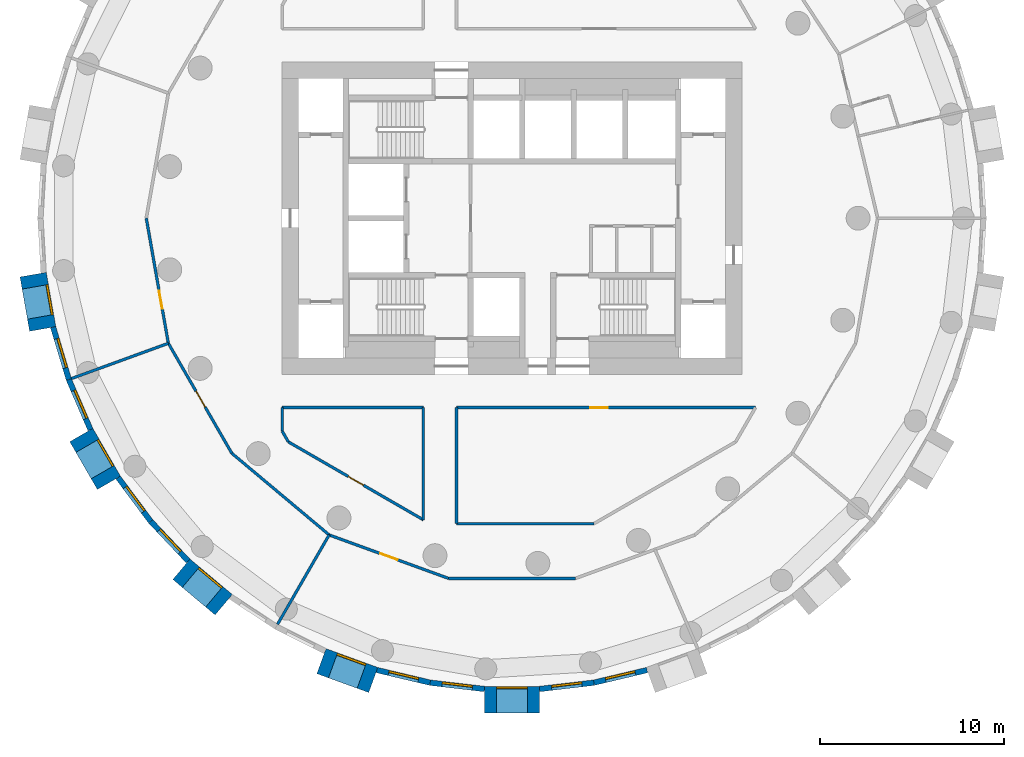
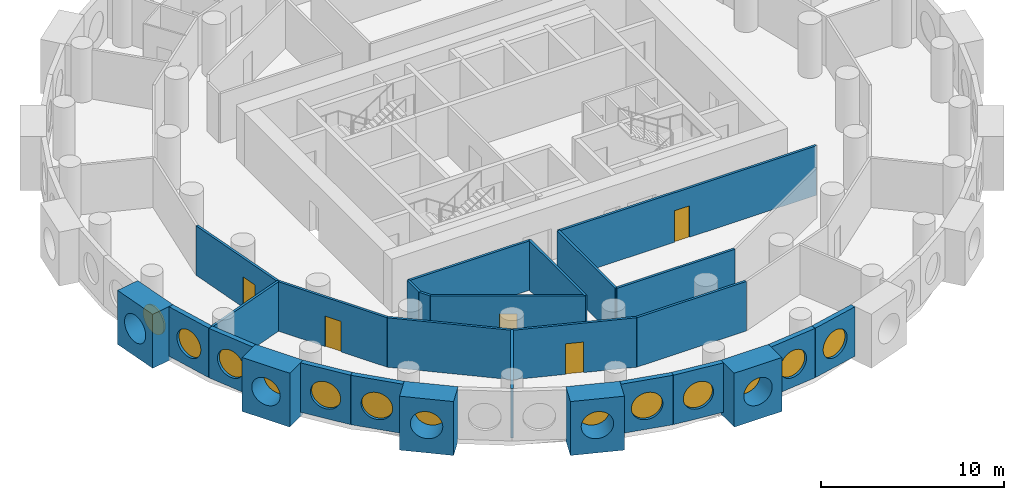
# One storey, part 2 of 9: 28 walls, 13 windows, 5 doors, 18 openings.
"""IFC4 building model written with IfcOpenShell, lengths in metres."""

from ifc_helpers import new_model, si_unit, direction, frame, frame_2d, origin, origin_2d, place, context, subcontext, project, spatial, rectangle, circle, extrude, material, layer, layer_set, type_object, element, fill, save


model = new_model("IFC4")

# Units and contexts
model_context = context("Model", 3, precision=1e-05, world=origin(), true_north=direction((0.0, 1.0)))
body_context = subcontext(model_context, "Body", "Model", "MODEL_VIEW")
ifc_project = project(units=[si_unit("LENGTHUNIT", "METRE"), si_unit("AREAUNIT", "SQUARE_METRE"), si_unit("VOLUMEUNIT", "CUBIC_METRE"), si_unit("PLANEANGLEUNIT", "RADIAN"), si_unit("MASSUNIT", "GRAM", prefix="KILO")], contexts=[model_context])

# Site, building, storey
site_placement = place(None, origin())
site = spatial("IfcSite", under=ifc_project, at=site_placement, CompositionType="ELEMENT")
building_placement = place(site_placement, origin())
building = spatial("IfcBuilding", under=site, at=building_placement, Name="Tracery Tower", CompositionType="ELEMENT")
storey_placement = place(building_placement, frame((0.0, 0.0, 169.199951171875)))
storey = spatial("IfcBuildingStorey", under=building, at=storey_placement, Name="L43", CompositionType="ELEMENT", Elevation=169.199951171875)

# Wall, opening, window
ifc_material_1 = material(Name="Precast concrete C50/60", Category="concrete")
ifc_layer_1 = layer(ifc_material_1, 1.449951171875)
ifc_layer_set_1 = layer_set([ifc_layer_1], Name="Deep-set bay unit 3000 x 3600, slab edge 300")
wall_type_1 = type_object("IfcWallType", Name="Deep-set bay unit 3000 x 3600, slab edge 300", PredefinedType="ELEMENTEDWALL", material=ifc_layer_set_1)
wall_1_placement = place(storey_placement, frame((-26.041748046875, -3.06884765625, -0.300048828125), z_axis=(0.0, 0.0, 1.0), x_axis=(0.173669267716, -0.984804034035, 0.0)))
wall_1 = element("IfcWall", 1, at=wall_1_placement, inside=storey, type_object=wall_type_1, Name="Deep-set bay unit 29 at L43", PredefinedType="ELEMENTEDWALL", context=body_context, shape_type="SweptSolid", body=[
    extrude(rectangle(XDim=3.0, YDim=1.449951171875, at=frame_2d((1.5, 0.0))), origin(), (0.0, 0.0, 1.0), 3.60009765625),
])
opening_1_placement = place(wall_1_placement, frame((1.5, 0.0, 1.85009765625)))
opening_1 = element("IfcOpeningElement", 2, at=opening_1_placement, cuts=wall_1, Name="Opening WN1", PredefinedType="OPENING", context=body_context, shape_type="SweptSolid", body=[
    extrude(circle(Radius=0.9000244140625, at=origin_2d()), frame((0.0, 0.73486328125, 0.0), z_axis=(0.0, -1.0, 0.0), x_axis=(1.0, 0.0, 0.0)), (0.0, 0.0, 1.0), 1.469970703125),
])
ifc_material_2 = material(Name="Aluminium frame with tinted double glazing", Category="aluminium")
window_type = type_object("IfcWindowType", Name="Round window 1800", PartitioningType="SINGLE_PANEL", PredefinedType="WINDOW", material=ifc_material_2)
window_1_placement = place(opening_1_placement, origin())
window_1 = element("IfcWindow", 3, at=window_1_placement, inside=storey, type_object=window_type, Name="Round window 29 at L43", OverallHeight=1.800048828125, OverallWidth=1.800048828125, PartitioningType="SINGLE_PANEL", PredefinedType="WINDOW", context=body_context, shape_type="SweptSolid", body=[
    extrude(circle(Radius=0.9000244140625, at=origin_2d()), frame((0.0, 0.69482421875, 0.0), z_axis=(0.0, -1.0, 0.0), x_axis=(1.0, 0.0, 0.0)), (0.0, 0.0, 1.0), 0.10009765625),
])
fill(opening_1, window_1)

wall_2_placement = place(storey_placement, frame((-23.421630859375, -11.79052734375, -0.300048828125), z_axis=(0.0, 0.0, 1.0), x_axis=(0.499990139034, -0.866031096941, 0.0)))
wall_2 = element("IfcWall", 4, at=wall_2_placement, inside=storey, type_object=wall_type_1, Name="Deep-set bay unit 32 at L43", PredefinedType="ELEMENTEDWALL", context=body_context, shape_type="SweptSolid", body=[
    extrude(rectangle(XDim=3.0, YDim=1.449951171875, at=frame_2d((1.5, 0.0))), origin(), (0.0, 0.0, 1.0), 3.60009765625),
])
opening_2_placement = place(wall_2_placement, frame((1.5, 0.0, 1.85009765625)))
opening_2 = element("IfcOpeningElement", 5, at=opening_2_placement, cuts=wall_2, Name="Opening WN1", PredefinedType="OPENING", context=body_context, shape_type="SweptSolid", body=[
    extrude(circle(Radius=0.9000244140625, at=origin_2d()), frame((0.0, 0.73486328125, 0.0), z_axis=(0.0, -1.0, 0.0), x_axis=(1.0, 0.0, 0.0)), (0.0, 0.0, 1.0), 1.469970703125),
])
window_2_placement = place(opening_2_placement, origin())
window_2 = element("IfcWindow", 6, at=window_2_placement, inside=storey, type_object=window_type, Name="Round window 32 at L43", OverallHeight=1.800048828125, OverallWidth=1.800048828125, PartitioningType="SINGLE_PANEL", PredefinedType="WINDOW", context=body_context, shape_type="SweptSolid", body=[
    extrude(circle(Radius=0.9000244140625, at=origin_2d()), frame((0.0, 0.69482421875, 0.0), z_axis=(0.0, -1.0, 0.0), x_axis=(1.0, 0.0, 0.0)), (0.0, 0.0, 1.0), 0.10009765625),
])
fill(opening_2, window_2)

wall_3_placement = place(storey_placement, frame((-17.9765625, -19.090087890625, -0.300048828125), z_axis=(0.0, 0.0, 1.0), x_axis=(0.766022196139, -0.642814121673, 0.0)))
wall_3 = element("IfcWall", 7, at=wall_3_placement, inside=storey, type_object=wall_type_1, Name="Deep-set bay unit 35 at L43", PredefinedType="ELEMENTEDWALL", context=body_context, shape_type="SweptSolid", body=[
    extrude(rectangle(XDim=3.0, YDim=1.449951171875, at=frame_2d((1.5, 0.0))), origin(), (0.0, 0.0, 1.0), 3.60009765625),
])
opening_3_placement = place(wall_3_placement, frame((1.5, 0.0, 1.85009765625)))
opening_3 = element("IfcOpeningElement", 8, at=opening_3_placement, cuts=wall_3, Name="Opening WN1", PredefinedType="OPENING", context=body_context, shape_type="SweptSolid", body=[
    extrude(circle(Radius=0.9000244140625, at=origin_2d()), frame((0.0, 0.73486328125, 0.0), z_axis=(0.0, -1.0, 0.0), x_axis=(1.0, 0.0, 0.0)), (0.0, 0.0, 1.0), 1.469970703125),
])
window_3_placement = place(opening_3_placement, origin())
window_3 = element("IfcWindow", 9, at=window_3_placement, inside=storey, type_object=window_type, Name="Round window 35 at L43", OverallHeight=1.800048828125, OverallWidth=1.800048828125, PartitioningType="SINGLE_PANEL", PredefinedType="WINDOW", context=body_context, shape_type="SweptSolid", body=[
    extrude(circle(Radius=0.9000244140625, at=origin_2d()), frame((0.0, 0.69482421875, 0.0), z_axis=(0.0, -1.0, 0.0), x_axis=(1.0, 0.0, 0.0)), (0.0, 0.0, 1.0), 0.10009765625),
])
fill(opening_3, window_3)

wall_4_placement = place(storey_placement, frame((-10.36328125, -24.087158203125, -0.300048828125), z_axis=(0.0, 0.0, 1.0), x_axis=(0.939686455819, -0.342037080957, 0.0)))
wall_4 = element("IfcWall", 10, at=wall_4_placement, inside=storey, type_object=wall_type_1, Name="Deep-set bay unit 38 at L43", PredefinedType="ELEMENTEDWALL", context=body_context, shape_type="SweptSolid", body=[
    extrude(rectangle(XDim=3.0, YDim=1.449951171875, at=frame_2d((1.5, 0.0))), origin(), (0.0, 0.0, 1.0), 3.60009765625),
])
opening_4_placement = place(wall_4_placement, frame((1.5, 0.0, 1.85009765625)))
opening_4 = element("IfcOpeningElement", 11, at=opening_4_placement, cuts=wall_4, Name="Opening WN1", PredefinedType="OPENING", context=body_context, shape_type="SweptSolid", body=[
    extrude(circle(Radius=0.9000244140625, at=origin_2d()), frame((0.0, 0.73486328125, 0.0), z_axis=(0.0, -1.0, 0.0), x_axis=(1.0, 0.0, 0.0)), (0.0, 0.0, 1.0), 1.469970703125),
])
window_4_placement = place(opening_4_placement, origin())
window_4 = element("IfcWindow", 12, at=window_4_placement, inside=storey, type_object=window_type, Name="Round window 38 at L43", OverallHeight=1.800048828125, OverallWidth=1.800048828125, PartitioningType="SINGLE_PANEL", PredefinedType="WINDOW", context=body_context, shape_type="SweptSolid", body=[
    extrude(circle(Radius=0.9000244140625, at=origin_2d()), frame((0.0, 0.69482421875, 0.0), z_axis=(0.0, -1.0, 0.0), x_axis=(1.0, 0.0, 0.0)), (0.0, 0.0, 1.0), 0.10009765625),
])
fill(opening_4, window_4)

wall_5_placement = place(storey_placement, frame((-1.5, -26.178955078125, -0.300048828125), z_axis=(0.0, 0.0, 1.0), x_axis=(1.0, 0.0, 0.0)))
wall_5 = element("IfcWall", 13, at=wall_5_placement, inside=storey, type_object=wall_type_1, Name="Deep-set bay unit 41 at L43", PredefinedType="ELEMENTEDWALL", context=body_context, shape_type="SweptSolid", body=[
    extrude(rectangle(XDim=3.0, YDim=1.449951171875, at=frame_2d((1.5, 0.0))), origin(), (0.0, 0.0, 1.0), 3.60009765625),
])
opening_5_placement = place(wall_5_placement, frame((1.5, 0.0, 1.85009765625)))
opening_5 = element("IfcOpeningElement", 14, at=opening_5_placement, cuts=wall_5, Name="Opening WN1", PredefinedType="OPENING", context=body_context, shape_type="SweptSolid", body=[
    extrude(circle(Radius=0.9000244140625, at=origin_2d()), frame((0.0, 0.73486328125, 0.0), z_axis=(0.0, -1.0, 0.0), x_axis=(1.0, 0.0, 0.0)), (0.0, 0.0, 1.0), 1.469970703125),
])
window_5_placement = place(opening_5_placement, origin())
window_5 = element("IfcWindow", 15, at=window_5_placement, inside=storey, type_object=window_type, Name="Round window 41 at L43", OverallHeight=1.800048828125, OverallWidth=1.800048828125, PartitioningType="SINGLE_PANEL", PredefinedType="WINDOW", context=body_context, shape_type="SweptSolid", body=[
    extrude(circle(Radius=0.9000244140625, at=origin_2d()), frame((0.0, 0.69482421875, 0.0), z_axis=(0.0, -1.0, 0.0), x_axis=(1.0, 0.0, 0.0)), (0.0, 0.0, 1.0), 0.10009765625),
])
fill(opening_5, window_5)

ifc_material_3 = material(Name="Precast concrete C50/60", Category="concrete")
ifc_layer_2 = layer(ifc_material_3, 0.300048828125)
ifc_layer_set_2 = layer_set([ifc_layer_2], Name="Facade panel 3000 x 3300")
wall_type_2 = type_object("IfcWallType", Name="Facade panel 3000 x 3300", PredefinedType="SOLIDWALL", material=ifc_layer_set_2)
wall_6_placement = place(storey_placement, frame((-24.953369140625, -5.924072265625, 0.0), z_axis=(0.0, 0.0, 1.0), x_axis=(0.286782750849, -0.957995643944, 0.0)))
wall_6 = element("IfcWall", 16, at=wall_6_placement, inside=storey, type_object=wall_type_2, Name="Facade panel 30 at L43", PredefinedType="SOLIDWALL", context=body_context, shape_type="SweptSolid", body=[
    extrude(rectangle(XDim=2.97265625, YDim=0.300048828125, at=frame_2d((1.486328125, 0.0))), origin(), (0.0, 0.0, 1.0), 3.300048828125),
])
opening_6_placement = place(wall_6_placement, frame((1.486328125, 0.0, 1.5498046875)))
opening_6 = element("IfcOpeningElement", 17, at=opening_6_placement, cuts=wall_6, Name="Opening WN1", PredefinedType="OPENING", context=body_context, shape_type="SweptSolid", body=[
    extrude(circle(Radius=0.9000244140625, at=origin_2d()), frame((0.0, 0.159912109375, 0.0), z_axis=(0.0, -1.0, 0.0), x_axis=(1.0, 0.0, 0.0)), (0.0, 0.0, 1.0), 0.320068359375),
])
window_6_placement = place(opening_6_placement, origin())
window_6 = element("IfcWindow", 18, at=window_6_placement, inside=storey, type_object=window_type, Name="Round window 30 at L43", OverallHeight=1.800048828125, OverallWidth=1.800048828125, PartitioningType="SINGLE_PANEL", PredefinedType="WINDOW", context=body_context, shape_type="SweptSolid", body=[
    extrude(circle(Radius=0.9000244140625, at=origin_2d()), frame((0.0, 0.1201171875, 0.0), z_axis=(0.0, -1.0, 0.0), x_axis=(1.0, 0.0, 0.0)), (0.0, 0.0, 1.0), 0.10009765625),
])
fill(opening_6, window_6)

wall_7_placement = place(storey_placement, frame((-24.100830078125, -8.77197265625, 0.0), z_axis=(0.0, 0.0, 1.0), x_axis=(0.396148129016, -0.918186614952, 0.0)))
wall_7 = element("IfcWall", 19, at=wall_7_placement, inside=storey, type_object=wall_type_2, Name="Facade panel 31 at L43", PredefinedType="SOLIDWALL", context=body_context, shape_type="SweptSolid", body=[
    extrude(rectangle(XDim=2.972900390625, YDim=0.300048828125, at=frame_2d((1.486328125, 0.0))), origin(), (0.0, 0.0, 1.0), 3.300048828125),
])
opening_7_placement = place(wall_7_placement, frame((1.486328125, 0.0, 1.5498046875)))
opening_7 = element("IfcOpeningElement", 20, at=opening_7_placement, cuts=wall_7, Name="Opening WN1", PredefinedType="OPENING", context=body_context, shape_type="SweptSolid", body=[
    extrude(circle(Radius=0.9000244140625, at=origin_2d()), frame((0.0, 0.159912109375, 0.0), z_axis=(0.0, -1.0, 0.0), x_axis=(1.0, 0.0, 0.0)), (0.0, 0.0, 1.0), 0.320068359375),
])
window_7_placement = place(opening_7_placement, origin())
window_7 = element("IfcWindow", 21, at=window_7_placement, inside=storey, type_object=window_type, Name="Round window 31 at L43", OverallHeight=1.800048828125, OverallWidth=1.800048828125, PartitioningType="SINGLE_PANEL", PredefinedType="WINDOW", context=body_context, shape_type="SweptSolid", body=[
    extrude(circle(Radius=0.9000244140625, at=origin_2d()), frame((0.0, 0.1201171875, 0.0), z_axis=(0.0, -1.0, 0.0), x_axis=(1.0, 0.0, 0.0)), (0.0, 0.0, 1.0), 0.10009765625),
])
fill(opening_7, window_7)

wall_8_placement = place(storey_placement, frame((-21.42236328125, -14.101318359375, 0.0), z_axis=(0.0, 0.0, 1.0), x_axis=(0.597197580538, -0.80209416517, 0.0)))
wall_8 = element("IfcWall", 22, at=wall_8_placement, inside=storey, type_object=wall_type_2, Name="Facade panel 33 at L43", PredefinedType="SOLIDWALL", context=body_context, shape_type="SweptSolid", body=[
    extrude(rectangle(XDim=2.972900390625, YDim=0.300048828125, at=frame_2d((1.486328125, 0.0))), origin(), (0.0, 0.0, 1.0), 3.300048828125),
])
opening_8_placement = place(wall_8_placement, frame((1.486328125, 0.0, 1.5498046875)))
opening_8 = element("IfcOpeningElement", 23, at=opening_8_placement, cuts=wall_8, Name="Opening WN1", PredefinedType="OPENING", context=body_context, shape_type="SweptSolid", body=[
    extrude(circle(Radius=0.9000244140625, at=origin_2d()), frame((0.0, 0.159912109375, 0.0), z_axis=(0.0, -1.0, 0.0), x_axis=(1.0, 0.0, 0.0)), (0.0, 0.0, 1.0), 0.320068359375),
])
window_8_placement = place(opening_8_placement, origin())
window_8 = element("IfcWindow", 24, at=window_8_placement, inside=storey, type_object=window_type, Name="Round window 33 at L43", OverallHeight=1.800048828125, OverallWidth=1.800048828125, PartitioningType="SINGLE_PANEL", PredefinedType="WINDOW", context=body_context, shape_type="SweptSolid", body=[
    extrude(circle(Radius=0.9000244140625, at=origin_2d()), frame((0.0, 0.1201171875, 0.0), z_axis=(0.0, -1.0, 0.0), x_axis=(1.0, 0.0, 0.0)), (0.0, 0.0, 1.0), 0.10009765625),
])
fill(opening_8, window_8)

wall_9_placement = place(storey_placement, frame((-19.64697265625, -16.48583984375, 0.0), z_axis=(0.0, 0.0, 1.0), x_axis=(0.686235184166, -0.727379730273, 0.0)))
wall_9 = element("IfcWall", 25, at=wall_9_placement, inside=storey, type_object=wall_type_2, Name="Facade panel 34 at L43", PredefinedType="SOLIDWALL", context=body_context, shape_type="SweptSolid", body=[
    extrude(rectangle(XDim=2.972900390625, YDim=0.300048828125, at=frame_2d((1.486328125, 0.0))), origin(), (0.0, 0.0, 1.0), 3.300048828125),
])
opening_9_placement = place(wall_9_placement, frame((1.486328125, 0.0, 1.5498046875)))
opening_9 = element("IfcOpeningElement", 26, at=opening_9_placement, cuts=wall_9, Name="Opening WN1", PredefinedType="OPENING", context=body_context, shape_type="SweptSolid", body=[
    extrude(circle(Radius=0.9000244140625, at=origin_2d()), frame((0.0, 0.159912109375, 0.0), z_axis=(0.0, -1.0, 0.0), x_axis=(1.0, 0.0, 0.0)), (0.0, 0.0, 1.0), 0.320068359375),
])
window_9_placement = place(opening_9_placement, origin())
window_9 = element("IfcWindow", 27, at=window_9_placement, inside=storey, type_object=window_type, Name="Round window 34 at L43", OverallHeight=1.800048828125, OverallWidth=1.800048828125, PartitioningType="SINGLE_PANEL", PredefinedType="WINDOW", context=body_context, shape_type="SweptSolid", body=[
    extrude(circle(Radius=0.9000244140625, at=origin_2d()), frame((0.0, 0.1201171875, 0.0), z_axis=(0.0, -1.0, 0.0), x_axis=(1.0, 0.0, 0.0)), (0.0, 0.0, 1.0), 0.10009765625),
])
fill(opening_9, window_9)

wall_10_placement = place(storey_placement, frame((-7.346435546875, -24.572265625, 0.0), z_axis=(0.0, 0.0, 1.0), x_axis=(0.973049746156, -0.230595298102, 0.0)))
wall_10 = element("IfcWall", 28, at=wall_10_placement, inside=storey, type_object=wall_type_2, Name="Facade panel 39 at L43", PredefinedType="SOLIDWALL", context=body_context, shape_type="SweptSolid", body=[
    extrude(rectangle(XDim=2.972900390625, YDim=0.300048828125, at=frame_2d((1.486328125, 0.0))), origin(), (0.0, 0.0, 1.0), 3.300048828125),
])
opening_10_placement = place(wall_10_placement, frame((1.486328125, 0.0, 1.5498046875)))
opening_10 = element("IfcOpeningElement", 29, at=opening_10_placement, cuts=wall_10, Name="Opening WN1", PredefinedType="OPENING", context=body_context, shape_type="SweptSolid", body=[
    extrude(circle(Radius=0.9000244140625, at=origin_2d()), frame((0.0, 0.159912109375, 0.0), z_axis=(0.0, -1.0, 0.0), x_axis=(1.0, 0.0, 0.0)), (0.0, 0.0, 1.0), 0.320068359375),
])
window_10_placement = place(opening_10_placement, origin())
window_10 = element("IfcWindow", 30, at=window_10_placement, inside=storey, type_object=window_type, Name="Round window 39 at L43", OverallHeight=1.800048828125, OverallWidth=1.800048828125, PartitioningType="SINGLE_PANEL", PredefinedType="WINDOW", context=body_context, shape_type="SweptSolid", body=[
    extrude(circle(Radius=0.9000244140625, at=origin_2d()), frame((0.0, 0.1201171875, 0.0), z_axis=(0.0, -1.0, 0.0), x_axis=(1.0, 0.0, 0.0)), (0.0, 0.0, 1.0), 0.10009765625),
])
fill(opening_10, window_10)

wall_11_placement = place(storey_placement, frame((-4.45361328125, -25.2578125, 0.0), z_axis=(0.0, 0.0, 1.0), x_axis=(0.993235542767, -0.116116995244, 0.0)))
wall_11 = element("IfcWall", 31, at=wall_11_placement, inside=storey, type_object=wall_type_2, Name="Facade panel 40 at L43", PredefinedType="SOLIDWALL", context=body_context, shape_type="SweptSolid", body=[
    extrude(rectangle(XDim=2.972900390625, YDim=0.300048828125, at=frame_2d((1.486328125, 0.0))), origin(), (0.0, 0.0, 1.0), 3.300048828125),
])
opening_11_placement = place(wall_11_placement, frame((1.486328125, 0.0, 1.5498046875)))
opening_11 = element("IfcOpeningElement", 32, at=opening_11_placement, cuts=wall_11, Name="Opening WN1", PredefinedType="OPENING", context=body_context, shape_type="SweptSolid", body=[
    extrude(circle(Radius=0.9000244140625, at=origin_2d()), frame((0.0, 0.159912109375, 0.0), z_axis=(0.0, -1.0, 0.0), x_axis=(1.0, 0.0, 0.0)), (0.0, 0.0, 1.0), 0.320068359375),
])
window_11_placement = place(opening_11_placement, origin())
window_11 = element("IfcWindow", 33, at=window_11_placement, inside=storey, type_object=window_type, Name="Round window 40 at L43", OverallHeight=1.800048828125, OverallWidth=1.800048828125, PartitioningType="SINGLE_PANEL", PredefinedType="WINDOW", context=body_context, shape_type="SweptSolid", body=[
    extrude(circle(Radius=0.9000244140625, at=origin_2d()), frame((0.0, 0.1201171875, 0.0), z_axis=(0.0, -1.0, 0.0), x_axis=(1.0, 0.0, 0.0)), (0.0, 0.0, 1.0), 0.10009765625),
])
fill(opening_11, window_11)

wall_12_placement = place(storey_placement, frame((1.500732421875, -25.60302734375, 0.0), z_axis=(0.0, 0.0, 1.0), x_axis=(0.993235542767, 0.116116995244, 0.0)))
wall_12 = element("IfcWall", 34, at=wall_12_placement, inside=storey, type_object=wall_type_2, Name="Facade panel 42 at L43", PredefinedType="SOLIDWALL", context=body_context, shape_type="SweptSolid", body=[
    extrude(rectangle(XDim=2.972900390625, YDim=0.300048828125, at=frame_2d((1.486328125, 0.0))), origin(), (0.0, 0.0, 1.0), 3.300048828125),
])
opening_12_placement = place(wall_12_placement, frame((1.486328125, 0.0, 1.5498046875)))
opening_12 = element("IfcOpeningElement", 35, at=opening_12_placement, cuts=wall_12, Name="Opening WN1", PredefinedType="OPENING", context=body_context, shape_type="SweptSolid", body=[
    extrude(circle(Radius=0.9000244140625, at=origin_2d()), frame((0.0, 0.159912109375, 0.0), z_axis=(0.0, -1.0, 0.0), x_axis=(1.0, 0.0, 0.0)), (0.0, 0.0, 1.0), 0.320068359375),
])
window_12_placement = place(opening_12_placement, origin())
window_12 = element("IfcWindow", 36, at=window_12_placement, inside=storey, type_object=window_type, Name="Round window 42 at L43", OverallHeight=1.800048828125, OverallWidth=1.800048828125, PartitioningType="SINGLE_PANEL", PredefinedType="WINDOW", context=body_context, shape_type="SweptSolid", body=[
    extrude(circle(Radius=0.9000244140625, at=origin_2d()), frame((0.0, 0.1201171875, 0.0), z_axis=(0.0, -1.0, 0.0), x_axis=(1.0, 0.0, 0.0)), (0.0, 0.0, 1.0), 0.10009765625),
])
fill(opening_12, window_12)

wall_13_placement = place(storey_placement, frame((4.45361328125, -25.2578125, 0.0), z_axis=(0.0, 0.0, 1.0), x_axis=(0.973049746156, 0.230595298102, 0.0)))
wall_13 = element("IfcWall", 37, at=wall_13_placement, inside=storey, type_object=wall_type_2, Name="Facade panel 43 at L43", PredefinedType="SOLIDWALL", context=body_context, shape_type="SweptSolid", body=[
    extrude(rectangle(XDim=2.972900390625, YDim=0.300048828125, at=frame_2d((1.486328125, 0.0))), origin(), (0.0, 0.0, 1.0), 3.300048828125),
])
opening_13_placement = place(wall_13_placement, frame((1.486328125, 0.0, 1.5498046875)))
opening_13 = element("IfcOpeningElement", 38, at=opening_13_placement, cuts=wall_13, Name="Opening WN1", PredefinedType="OPENING", context=body_context, shape_type="SweptSolid", body=[
    extrude(circle(Radius=0.9000244140625, at=origin_2d()), frame((0.0, 0.159912109375, 0.0), z_axis=(0.0, -1.0, 0.0), x_axis=(1.0, 0.0, 0.0)), (0.0, 0.0, 1.0), 0.320068359375),
])
window_13_placement = place(opening_13_placement, origin())
window_13 = element("IfcWindow", 39, at=window_13_placement, inside=storey, type_object=window_type, Name="Round window 43 at L43", OverallHeight=1.800048828125, OverallWidth=1.800048828125, PartitioningType="SINGLE_PANEL", PredefinedType="WINDOW", context=body_context, shape_type="SweptSolid", body=[
    extrude(circle(Radius=0.9000244140625, at=origin_2d()), frame((0.0, 0.1201171875, 0.0), z_axis=(0.0, -1.0, 0.0), x_axis=(1.0, 0.0, 0.0)), (0.0, 0.0, 1.0), 0.10009765625),
])
fill(opening_13, window_13)

# Walls
ifc_material_4 = material(Name="Plasterboard on steel studs", Category="steel")
ifc_layer_3 = layer(ifc_material_4, 0.14990234375)
ifc_layer_set_3 = layer_set([ifc_layer_3], Name="Partition 150 acoustic unit wall")
wall_type_3 = type_object("IfcWallType", Name="Partition 150 acoustic unit wall", PredefinedType="PARTITIONING", material=ifc_layer_set_3)
wall_14_placement = place(storey_placement, frame((-23.9599609375, -8.720947265625, 0.0), z_axis=(0.0, 0.0, 1.0), x_axis=(0.939686652043, 0.342036541866, 0.0)))
element("IfcWall", 40, at=wall_14_placement, inside=storey, type_object=wall_type_3, Name="Unit wall RB5-063", PredefinedType="PARTITIONING", context=body_context, shape_type="SweptSolid", body=[
    extrude(rectangle(XDim=5.6103515625, YDim=0.14990234375, at=frame_2d((2.80517578125, 0.0))), origin(), (0.0, 0.0, 1.0), 3.300048828125),
])
wall_15_placement = place(storey_placement, frame((-12.7490234375, -22.0810546875, 0.0), z_axis=(0.0, 0.0, 1.0), x_axis=(0.500010020406, 0.866019618423, 0.0)))
element("IfcWall", 41, at=wall_15_placement, inside=storey, type_object=wall_type_3, Name="Unit wall RB5-064", PredefinedType="PARTITIONING", context=body_context, shape_type="SweptSolid", body=[
    extrude(rectangle(XDim=5.60986328125, YDim=0.14990234375, at=frame_2d((2.804931640625, 0.0))), origin(), (0.0, 0.0, 1.0), 3.300048828125),
])
ifc_material_5 = material(Name="Plasterboard on steel studs", Category="steel")
ifc_layer_4 = layer(ifc_material_5, 0.14990234375)
ifc_layer_set_4 = layer_set([ifc_layer_4], Name="Partition 150 corridor wall")
wall_type_4 = type_object("IfcWallType", Name="Partition 150 corridor wall", PredefinedType="PARTITIONING", material=ifc_layer_set_4)
wall_16_placement = place(storey_placement, frame((-12.50390625, -10.300048828125, 0.0), z_axis=(0.0, 0.0, 1.0), x_axis=(1.0, 0.0, 0.0)))
element("IfcWall", 42, at=wall_16_placement, inside=storey, type_object=wall_type_4, Name="Corridor wall RB5-003", PredefinedType="PARTITIONING", context=body_context, shape_type="SweptSolid", body=[
    extrude(rectangle(XDim=7.68701171875, YDim=0.14990234375, at=frame_2d((3.843505859375, 0.0))), origin(), (0.0, 0.0, 1.0), 3.300048828125),
])

# Wall, opening, door
wall_17_placement = place(storey_placement, frame((-3.02490234375, -10.300048828125, 0.0), z_axis=(0.0, 0.0, 1.0), x_axis=(1.0, 0.0, 0.0)))
wall_17 = element("IfcWall", 43, at=wall_17_placement, inside=storey, type_object=wall_type_4, Name="Corridor wall RB5-004", PredefinedType="PARTITIONING", context=body_context, shape_type="SweptSolid", body=[
    extrude(rectangle(XDim=16.261962890625, YDim=0.14990234375, at=frame_2d((8.130859375, 0.0))), origin(), (0.0, 0.0, 1.0), 3.300048828125),
])
opening_14_placement = place(wall_17_placement, frame((7.287109375, 0.0, 0.0)))
opening_14 = element("IfcOpeningElement", 44, at=opening_14_placement, cuts=wall_17, Name="Opening RB5-04", PredefinedType="OPENING", context=body_context, shape_type="SweptSolid", body=[
    extrude(rectangle(XDim=0.949951171875, YDim=2.10009765625, at=frame_2d((0.47509765625, 1.050048828125))), frame((0.0, 0.074951171875, 0.0), z_axis=(0.0, -1.0, 0.0), x_axis=(1.0, 0.0, 0.0)), (0.0, 0.0, 1.0), 0.14990234375),
])
ifc_material_6 = material(Name="Timber door leaf", Category="wood")
door_type_1 = type_object("IfcDoorType", Name="Door store 950", OperationType="NOTDEFINED", PredefinedType="DOOR", material=ifc_material_6)
door_1_placement = place(opening_14_placement, origin())
door_1 = element("IfcDoor", 45, at=door_1_placement, inside=storey, type_object=door_type_1, Name="Store door RB5-04", OperationType="SINGLE_SWING_RIGHT", OverallHeight=2.10009765625, OverallWidth=0.949951171875, PredefinedType="DOOR", context=body_context, shape_type="SweptSolid", body=[
    extrude(rectangle(XDim=0.949951171875, YDim=2.10009765625, at=frame_2d((0.47509765625, 1.050048828125))), frame((0.0, 0.02490234375, 0.0), z_axis=(0.0, -1.0, 0.0), x_axis=(1.0, 0.0, 0.0)), (0.0, 0.0, 1.0), 0.050048828125),
])
fill(opening_14, door_1)

# Walls
wall_18_placement = place(storey_placement, frame((-12.5, -11.576904296875, 0.0), z_axis=(0.0, 0.0, 1.0), x_axis=(0.0, 1.0, 0.0)))
element("IfcWall", 46, at=wall_18_placement, inside=storey, type_object=wall_type_4, Name="Corridor wall RB5-024", PredefinedType="PARTITIONING", context=body_context, shape_type="SweptSolid", body=[
    extrude(rectangle(XDim=1.27685546875, YDim=0.14990234375, at=frame_2d((0.638427734375, 0.0))), origin(), (0.0, 0.0, 1.0), 3.300048828125),
])
wall_19_placement = place(storey_placement, frame((-12.5, -11.576904296875, 0.0), z_axis=(0.0, 0.0, 1.0), x_axis=(0.500024767483, -0.866011103799, 0.0)))
element("IfcWall", 47, at=wall_19_placement, inside=storey, type_object=wall_type_4, Name="Corridor wall RB5-025", PredefinedType="PARTITIONING", context=body_context, shape_type="SweptSolid", body=[
    extrude(rectangle(XDim=0.67578125, YDim=0.14990234375, at=frame_2d((0.337890625, 0.0))), origin(), (0.0, 0.0, 1.0), 3.300048828125),
])

# Wall, opening, door
wall_20_placement = place(storey_placement, frame((-19.887939453125, 0.0, 0.0), z_axis=(0.0, 0.0, 1.0), x_axis=(0.173728873845, -0.98479352069, 0.0)))
wall_20 = element("IfcWall", 48, at=wall_20_placement, inside=storey, type_object=wall_type_4, Name="Corridor wall RB5-027", PredefinedType="PARTITIONING", context=body_context, shape_type="SweptSolid", body=[
    extrude(rectangle(XDim=6.906982421875, YDim=0.14990234375, at=frame_2d((3.45361328125, 0.0))), origin(), (0.0, 0.0, 1.0), 3.300048828125),
])
opening_15_placement = place(wall_20_placement, frame((4.0029296875, 0.0, 0.0)))
opening_15 = element("IfcOpeningElement", 49, at=opening_15_placement, cuts=wall_20, Name="Opening RB5-21", PredefinedType="OPENING", context=body_context, shape_type="SweptSolid", body=[
    extrude(rectangle(XDim=1.0, YDim=2.0400390625, at=frame_2d((0.5, 1.02001953125))), frame((0.0, 0.074951171875, 0.0), z_axis=(0.0, -1.0, 0.0), x_axis=(1.0, 0.0, 0.0)), (0.0, 0.0, 1.0), 0.14990234375),
])
ifc_material_7 = material(Name="Timber door leaf", Category="wood")
door_type_2 = type_object("IfcDoorType", Name="Door communal room 1000", OperationType="NOTDEFINED", PredefinedType="DOOR", material=ifc_material_7)
door_2_placement = place(opening_15_placement, origin())
door_2 = element("IfcDoor", 50, at=door_2_placement, inside=storey, type_object=door_type_2, Name="Communal room door RB5-21", OperationType="SINGLE_SWING_LEFT", OverallHeight=2.0400390625, OverallWidth=1.0, PredefinedType="DOOR", context=body_context, shape_type="SweptSolid", body=[
    extrude(rectangle(XDim=1.0, YDim=2.0400390625, at=frame_2d((0.5, 1.02001953125))), frame((0.0, 0.02490234375, 0.0), z_axis=(0.0, -1.0, 0.0), x_axis=(1.0, 0.0, 0.0)), (0.0, 0.0, 1.0), 0.050048828125),
])
fill(opening_15, door_2)

# Wall
wall_21_placement = place(storey_placement, frame((-15.235107421875, -12.783935546875, 0.0), z_axis=(0.0, 0.0, 1.0), x_axis=(0.766192104565, -0.642611592567, 0.0)))
element("IfcWall", 51, at=wall_21_placement, inside=storey, type_object=wall_type_4, Name="Corridor wall RB5-029", PredefinedType="PARTITIONING", context=body_context, shape_type="SweptSolid", body=[
    extrude(rectangle(XDim=6.906494140625, YDim=0.14990234375, at=frame_2d((3.453125, 0.0))), origin(), (0.0, 0.0, 1.0), 3.300048828125),
])

# Wall, opening, door
wall_22_placement = place(storey_placement, frame((-18.68798828125, -6.802001953125, 0.0), z_axis=(0.0, 0.0, 1.0), x_axis=(0.499914202267, -0.866074933462, 0.0)))
wall_22 = element("IfcWall", 52, at=wall_22_placement, inside=storey, type_object=wall_type_4, Name="Corridor wall RB5-030", PredefinedType="PARTITIONING", context=body_context, shape_type="SweptSolid", body=[
    extrude(rectangle(XDim=6.906982421875, YDim=0.14990234375, at=frame_2d((3.45361328125, 0.0))), origin(), (0.0, 0.0, 1.0), 3.300048828125),
])
opening_16_placement = place(wall_22_placement, frame((3.003173828125, 0.0, 0.0)))
opening_16 = element("IfcOpeningElement", 53, at=opening_16_placement, cuts=wall_22, Name="Opening RB5-22", PredefinedType="OPENING", context=body_context, shape_type="SweptSolid", body=[
    extrude(rectangle(XDim=1.0, YDim=2.0400390625, at=frame_2d((0.5, 1.02001953125))), frame((0.0, 0.074951171875, 0.0), z_axis=(0.0, -1.0, 0.0), x_axis=(1.0, 0.0, 0.0)), (0.0, 0.0, 1.0), 0.14990234375),
])
door_3_placement = place(opening_16_placement, origin())
door_3 = element("IfcDoor", 54, at=door_3_placement, inside=storey, type_object=door_type_2, Name="Communal room door RB5-22", OperationType="SINGLE_SWING_LEFT", OverallHeight=2.0400390625, OverallWidth=1.0, PredefinedType="DOOR", context=body_context, shape_type="SweptSolid", body=[
    extrude(rectangle(XDim=1.0, YDim=2.0400390625, at=frame_2d((0.5, 1.02001953125))), frame((0.0, 0.02490234375, 0.0), z_axis=(0.0, -1.0, 0.0), x_axis=(1.0, 0.0, 0.0)), (0.0, 0.0, 1.0), 0.050048828125),
])
fill(opening_16, door_3)

wall_23_placement = place(storey_placement, frame((-12.162109375, -12.162109375, 0.0), z_axis=(0.0, 0.0, 1.0), x_axis=(0.866004766557, -0.500035743023, 0.0)))
wall_23 = element("IfcWall", 55, at=wall_23_placement, inside=storey, type_object=wall_type_4, Name="Corridor wall RB5-031", PredefinedType="PARTITIONING", context=body_context, shape_type="SweptSolid", body=[
    extrude(rectangle(XDim=8.47705078125, YDim=0.14990234375, at=frame_2d((4.238525390625, 0.0))), origin(), (0.0, 0.0, 1.0), 3.300048828125),
])
opening_17_placement = place(wall_23_placement, frame((3.762939453125, 0.0, 0.0)))
opening_17 = element("IfcOpeningElement", 56, at=opening_17_placement, cuts=wall_23, Name="Opening RB5-03", PredefinedType="OPENING", context=body_context, shape_type="SweptSolid", body=[
    extrude(rectangle(XDim=0.949951171875, YDim=2.10009765625, at=frame_2d((0.47509765625, 1.050048828125))), frame((0.0, 0.074951171875, 0.0), z_axis=(0.0, -1.0, 0.0), x_axis=(1.0, 0.0, 0.0)), (0.0, 0.0, 1.0), 0.14990234375),
])
door_4_placement = place(opening_17_placement, origin())
door_4 = element("IfcDoor", 57, at=door_4_placement, inside=storey, type_object=door_type_1, Name="Store door RB5-03", OperationType="SINGLE_SWING_LEFT", OverallHeight=2.10009765625, OverallWidth=0.949951171875, PredefinedType="DOOR", context=body_context, shape_type="SweptSolid", body=[
    extrude(rectangle(XDim=0.949951171875, YDim=2.10009765625, at=frame_2d((0.47509765625, 1.050048828125))), frame((0.0, 0.02490234375, 0.0), z_axis=(0.0, -1.0, 0.0), x_axis=(1.0, 0.0, 0.0)), (0.0, 0.0, 1.0), 0.050048828125),
])
fill(opening_17, door_4)

# Walls
wall_24_placement = place(storey_placement, frame((-4.821044921875, -16.40087890625, 0.0), z_axis=(0.0, 0.0, 1.0), x_axis=(0.0, 1.0, 0.0)))
element("IfcWall", 58, at=wall_24_placement, inside=storey, type_object=wall_type_4, Name="Corridor wall RB5-032", PredefinedType="PARTITIONING", context=body_context, shape_type="SweptSolid", body=[
    extrude(rectangle(XDim=6.100830078125, YDim=0.14990234375, at=frame_2d((3.05029296875, 0.0))), origin(), (0.0, 0.0, 1.0), 3.300048828125),
])
wall_25_placement = place(storey_placement, frame((-3.02099609375, -16.614013671875, 0.0), z_axis=(0.0, 0.0, 1.0), x_axis=(0.0, 1.0, 0.0)))
element("IfcWall", 59, at=wall_25_placement, inside=storey, type_object=wall_type_4, Name="Corridor wall RB5-033", PredefinedType="PARTITIONING", context=body_context, shape_type="SweptSolid", body=[
    extrude(rectangle(XDim=6.31396484375, YDim=0.14990234375, at=frame_2d((3.156982421875, 0.0))), origin(), (0.0, 0.0, 1.0), 3.300048828125),
])
wall_26_placement = place(storey_placement, frame((-3.02099609375, -16.614013671875, 0.0), z_axis=(0.0, 0.0, 1.0), x_axis=(1.0, 0.0, 0.0)))
element("IfcWall", 60, at=wall_26_placement, inside=storey, type_object=wall_type_4, Name="Corridor wall RB5-034", PredefinedType="PARTITIONING", context=body_context, shape_type="SweptSolid", body=[
    extrude(rectangle(XDim=7.472900390625, YDim=0.14990234375, at=frame_2d((3.736328125, 0.0))), origin(), (0.0, 0.0, 1.0), 3.300048828125),
])
wall_27_placement = place(storey_placement, frame((-3.452880859375, -19.5859375, 0.0), z_axis=(0.0, 0.0, 1.0), x_axis=(1.0, 0.0, 0.0)))
element("IfcWall", 61, at=wall_27_placement, inside=storey, type_object=wall_type_4, Name="Corridor wall RB5-037", PredefinedType="PARTITIONING", context=body_context, shape_type="SweptSolid", body=[
    extrude(rectangle(XDim=6.90576171875, YDim=0.14990234375, at=frame_2d((3.452880859375, 0.0))), origin(), (0.0, 0.0, 1.0), 3.300048828125),
])

# Wall, opening, door
wall_28_placement = place(storey_placement, frame((-9.944091796875, -17.222900390625, 0.0), z_axis=(0.0, 0.0, 1.0), x_axis=(0.939672634566, -0.342075050021, 0.0)))
wall_28 = element("IfcWall", 62, at=wall_28_placement, inside=storey, type_object=wall_type_4, Name="Corridor wall RB5-038", PredefinedType="PARTITIONING", context=body_context, shape_type="SweptSolid", body=[
    extrude(rectangle(XDim=6.907958984375, YDim=0.14990234375, at=frame_2d((3.4541015625, 0.0))), origin(), (0.0, 0.0, 1.0), 3.300048828125),
])
opening_18_placement = place(wall_28_placement, frame((2.95361328125, 0.0, 0.0)))
opening_18 = element("IfcOpeningElement", 63, at=opening_18_placement, cuts=wall_28, Name="Opening RB5-23", PredefinedType="OPENING", context=body_context, shape_type="SweptSolid", body=[
    extrude(rectangle(XDim=1.0, YDim=2.0400390625, at=frame_2d((0.5, 1.02001953125))), frame((0.0, 0.074951171875, 0.0), z_axis=(0.0, -1.0, 0.0), x_axis=(1.0, 0.0, 0.0)), (0.0, 0.0, 1.0), 0.14990234375),
])
door_5_placement = place(opening_18_placement, origin())
door_5 = element("IfcDoor", 64, at=door_5_placement, inside=storey, type_object=door_type_2, Name="Communal room door RB5-23", OperationType="SINGLE_SWING_RIGHT", OverallHeight=2.0400390625, OverallWidth=1.0, PredefinedType="DOOR", context=body_context, shape_type="SweptSolid", body=[
    extrude(rectangle(XDim=1.0, YDim=2.0400390625, at=frame_2d((0.5, 1.02001953125))), frame((0.0, 0.02490234375, 0.0), z_axis=(0.0, -1.0, 0.0), x_axis=(1.0, 0.0, 0.0)), (0.0, 0.0, 1.0), 0.050048828125),
])
fill(opening_18, door_5)

save(model, "model.ifc")
